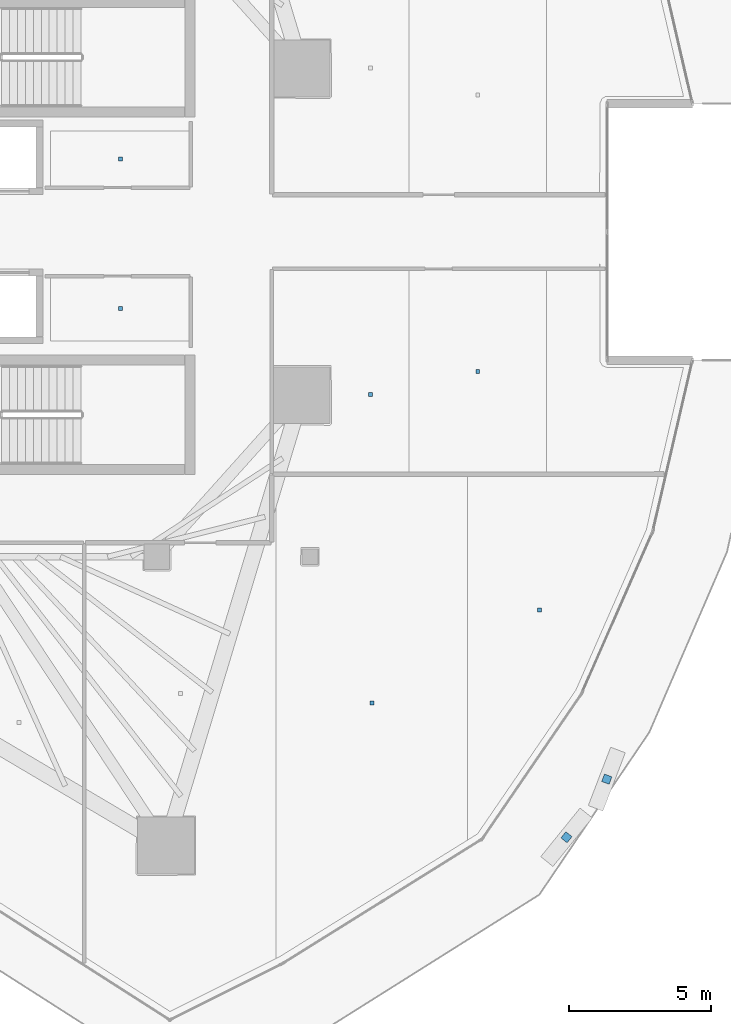
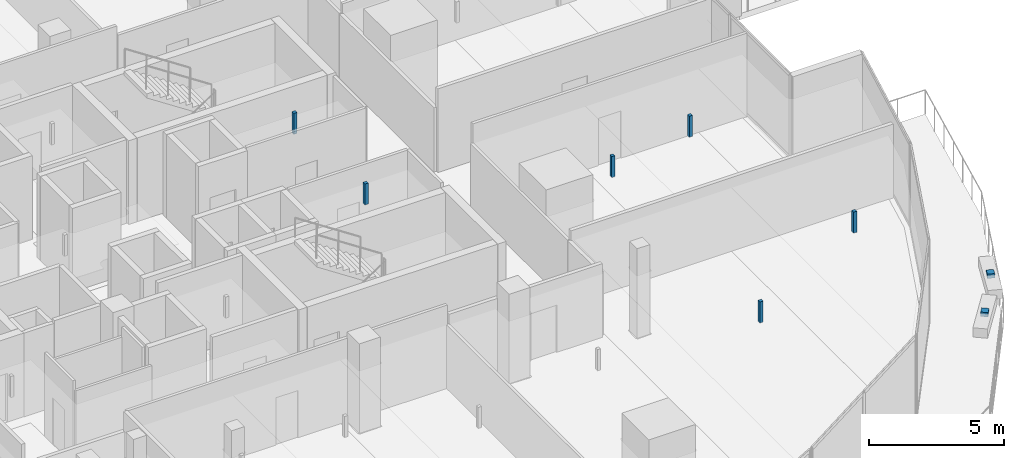
# One storey, part 29 of 37: 8 discrete accessories.
"""IFC4 building model written with IfcOpenShell, lengths in metres."""

from ifc_helpers import new_model, si_unit, direction, frame, origin, origin_2d, place, context, subcontext, project, spatial, rectangle, extrude, material, type_object, element, save


model = new_model("IFC4")

# Units and contexts
model_context = context("Model", 3, precision=1e-05, world=origin(), true_north=direction((0.0, 1.0)))
body_context = subcontext(model_context, "Body", "Model", "MODEL_VIEW")
ifc_project = project(units=[si_unit("LENGTHUNIT", "METRE"), si_unit("AREAUNIT", "SQUARE_METRE"), si_unit("VOLUMEUNIT", "CUBIC_METRE"), si_unit("PLANEANGLEUNIT", "RADIAN"), si_unit("MASSUNIT", "GRAM", prefix="KILO")], contexts=[model_context])

# Site, building, storey
site_placement = place(None, origin())
site = spatial("IfcSite", under=ifc_project, at=site_placement, CompositionType="ELEMENT")
building_placement = place(site_placement, origin())
building = spatial("IfcBuilding", under=site, at=building_placement, Name="Qorvath Tower", CompositionType="ELEMENT")
storey_placement = place(building_placement, frame((0.0, 0.0, 196.949951171875)))
storey = spatial("IfcBuildingStorey", under=building, at=storey_placement, Name="L45", CompositionType="ELEMENT", Elevation=196.949951171875)

# Discrete accessories
ifc_material = material(Name="Galvanised steel bracket", Category="steel")
discrete_accessory_type = type_object("IfcDiscreteAccessoryType", Name="DA-BRACKET", PredefinedType="BRACKET", material=ifc_material)
for number, where, z_axis, x_axis, name in (
    (1, (-2.759521484375, -21.33642578125, 3.64013671875), (0.0, 0.0, 1.0), (0.628628390287, 0.777705822869, 0.0), "Louvre Wave Support Bracket L45-03"),
    (2, (-1.33935546875, -19.288818359375, 3.64013671875), (0.0, 0.0, 1.0), (0.357683503127, 0.933842873074, 0.0), "Louvre Wave Support Bracket L45-04"),
):
    element("IfcDiscreteAccessory", number, at=place(storey_placement, frame(where, z_axis=z_axis, x_axis=x_axis)), inside=storey, type_object=discrete_accessory_type, Name=name, PredefinedType="NOTDEFINED", context=body_context, shape_type="SweptSolid", body=[
        extrude(rectangle(XDim=0.280029296875, YDim=0.280029296875, at=origin_2d()), origin(), (0.0, 0.0, 1.0), 0.199951171875),
    ])
for number, where, z_axis, x_axis, name in (
    (3, (-18.472412109375, 2.5625, 2.85986328125), (0.0, 0.0, 1.0), (1.0, 0.0, 0.0), "Acoustic Ceiling Suspension Hanger T1-L45-003"),
    (4, (-18.472412109375, -2.70751953125, 2.85986328125), (0.0, 0.0, 1.0), (1.0, 0.0, 0.0), "Acoustic Ceiling Suspension Hanger T1-L45-004"),
    (5, (-9.62060546875, -16.61083984375, 2.85986328125), (0.0, 0.0, 1.0), (1.0, 0.0, 0.0), "Acoustic Ceiling Suspension Hanger T1-L45-026"),
    (6, (-3.7177734375, -13.32421875, 2.85986328125), (0.0, 0.0, 1.0), (1.0, 0.0, 0.0), "Acoustic Ceiling Suspension Hanger T1-L45-027"),
    (7, (-9.674560546875, -5.736572265625, 2.85986328125), (0.0, 0.0, 1.0), (1.0, 0.0, 0.0), "Acoustic Ceiling Suspension Hanger T1-L45-028"),
    (8, (-5.886962890625, -4.919677734375, 2.85986328125), (0.0, 0.0, 1.0), (1.0, 0.0, 0.0), "Acoustic Ceiling Suspension Hanger T1-L45-029"),
):
    element("IfcDiscreteAccessory", number, at=place(storey_placement, frame(where, z_axis=z_axis, x_axis=x_axis)), inside=storey, type_object=discrete_accessory_type, Name=name, PredefinedType="NOTDEFINED", context=body_context, shape_type="SweptSolid", body=[
        extrude(rectangle(XDim=0.139892578125, YDim=0.139892578125, at=origin_2d()), origin(), (0.0, 0.0, 1.0), 0.949951171875),
    ])

save(model, "model.ifc")
